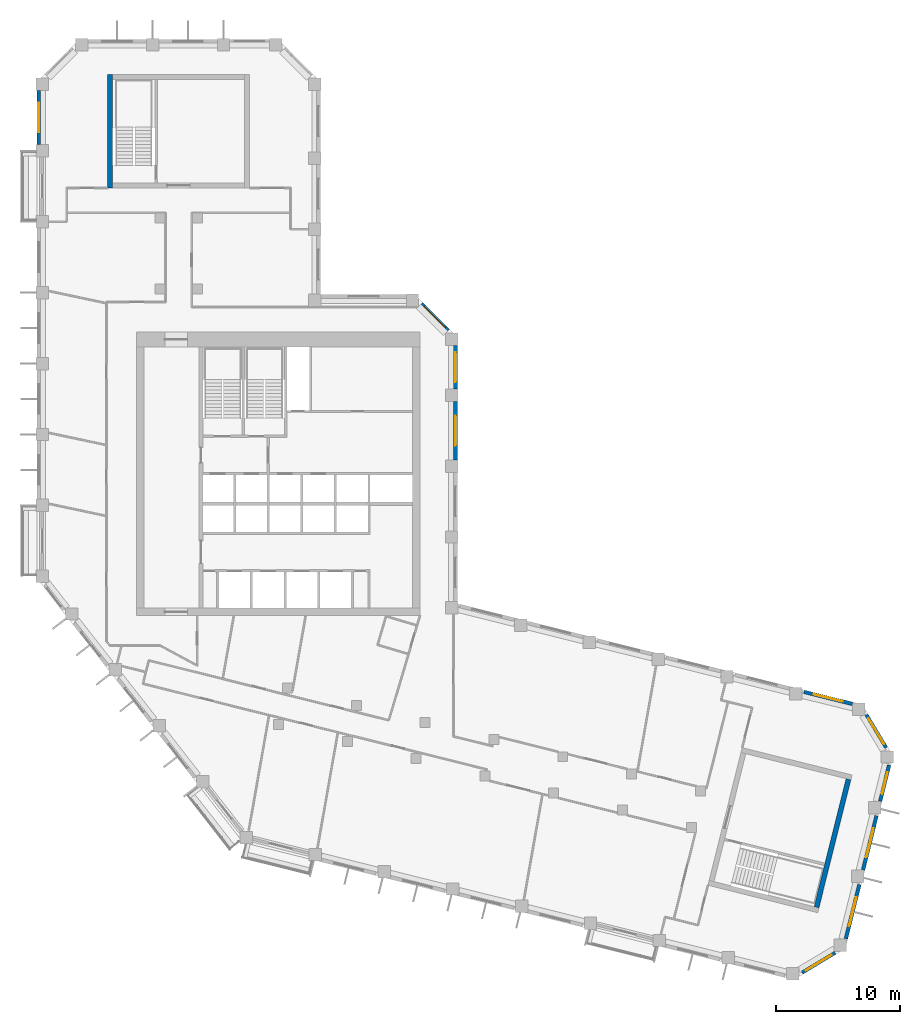
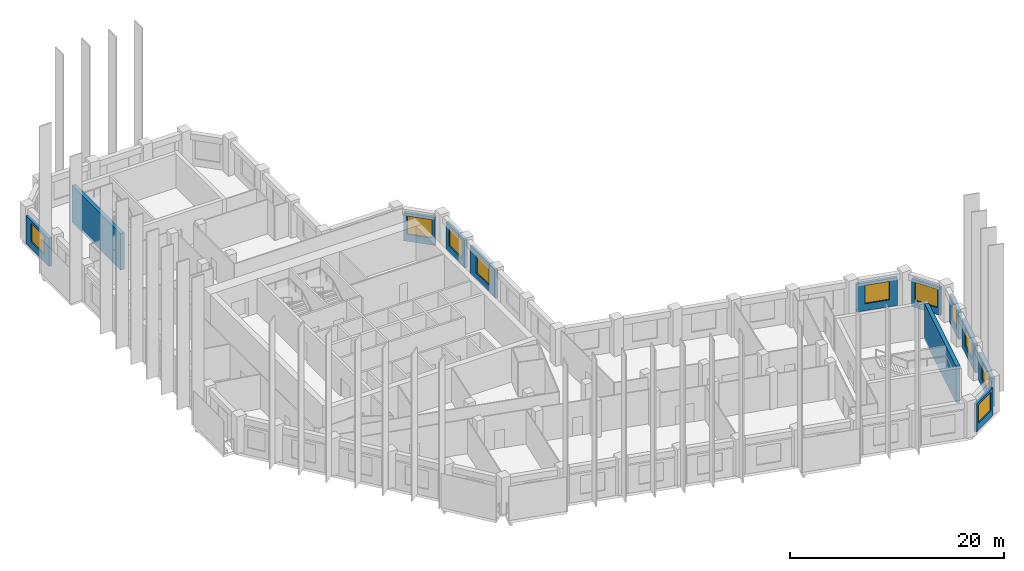
# One storey, part 7 of 9: 12 walls, 10 windows, 10 openings.
"""IFC4 building model written with IfcOpenShell, lengths in metres."""

from ifc_helpers import new_model, si_unit, direction, frame, frame_2d, origin, place, context, subcontext, project, spatial, rectangle, extrude, material, layer, layer_set, type_object, element, fill, save


model = new_model("IFC4")

# Units and contexts
model_context = context("Model", 3, precision=1e-05, world=origin(), true_north=direction((0.0, 1.0)))
body_context = subcontext(model_context, "Body", "Model", "MODEL_VIEW")
ifc_project = project(units=[si_unit("LENGTHUNIT", "METRE"), si_unit("AREAUNIT", "SQUARE_METRE"), si_unit("VOLUMEUNIT", "CUBIC_METRE"), si_unit("PLANEANGLEUNIT", "RADIAN"), si_unit("MASSUNIT", "GRAM", prefix="KILO")], contexts=[model_context])

# Site, building, storey
site_placement = place(None, origin())
site = spatial("IfcSite", under=ifc_project, at=site_placement, CompositionType="ELEMENT")
building_placement = place(site_placement, origin())
building = spatial("IfcBuilding", under=site, at=building_placement, Name="Meshkara Civic Tower", CompositionType="ELEMENT")
storey_placement = place(building_placement, frame((0.0, 0.0, 289.800048828125)))
storey = spatial("IfcBuildingStorey", under=building, at=storey_placement, Name="L66", CompositionType="ELEMENT", Elevation=289.800048828125)

# Wall, opening, window
ifc_material_1 = material(Name="Insulated infill panel with bronze anodised aluminium cladding", Category="aluminium")
ifc_layer_1 = layer(ifc_material_1, 0.300048828125)
ifc_layer_set_1 = layer_set([ifc_layer_1], Name="EXTERNAL INFILL WALL 300")
wall_type_1 = type_object("IfcWallType", Name="EXTERNAL INFILL WALL 300", PredefinedType="SOLIDWALL", material=ifc_layer_set_1)
wall_1_placement = place(storey_placement, frame((65.548095703125, 7.0, 0.0), z_axis=(0.0, 0.0, 1.0), x_axis=(-0.970260773365, 0.242062040951, 0.0)))
wall_1 = element("IfcWall", 1, at=wall_1_placement, inside=storey, type_object=wall_type_1, Name="External wall", PredefinedType="SOLIDWALL", context=body_context, shape_type="SweptSolid", body=[
    extrude(rectangle(XDim=4.003173828125, YDim=0.300048828125, at=frame_2d((2.00146484375, 0.0))), origin(), (0.0, 0.0, 1.0), 3.199951171875),
])
opening_1_placement = place(wall_1_placement, frame((0.801025390625, 0.0, 0.800048828125)))
opening_1 = element("IfcOpeningElement", 2, at=opening_1_placement, cuts=wall_1, Name="Opening W7", PredefinedType="OPENING", context=body_context, shape_type="SweptSolid", body=[
    extrude(rectangle(XDim=2.39990234375, YDim=2.10009765625, at=frame_2d((1.199951171875, 1.050048828125))), frame((0.0, 0.159912109375, 0.0), z_axis=(0.0, -1.0, 0.0), x_axis=(1.0, 0.0, 0.0)), (0.0, 0.0, 1.0), 0.320068359375),
])
ifc_material_2 = material(Name="Tinted double glazing", Category="glass")
window_type_1 = type_object("IfcWindowType", Name="WINDOW 2400x2100", PartitioningType="DOUBLE_PANEL_VERTICAL", PredefinedType="WINDOW", material=ifc_material_2)
window_1_placement = place(opening_1_placement, origin())
window_1 = element("IfcWindow", 3, at=window_1_placement, inside=storey, type_object=window_type_1, Name="Window", OverallHeight=2.10009765625, OverallWidth=2.39990234375, PartitioningType="DOUBLE_PANEL_VERTICAL", PredefinedType="WINDOW", context=body_context, shape_type="SweptSolid", body=[
    extrude(rectangle(XDim=2.39990234375, YDim=2.10009765625, at=frame_2d((1.199951171875, 1.050048828125))), frame((0.0, 0.030029296875, 0.0), z_axis=(0.0, -1.0, 0.0), x_axis=(1.0, 0.0, 0.0)), (0.0, 0.0, 1.0), 0.06005859375),
])
fill(opening_1, window_1)

wall_2_placement = place(storey_placement, frame((33.64990234375, 26.618896484375, 0.0), z_axis=(0.0, 0.0, 1.0), x_axis=(0.0, 1.0, 0.0)))
wall_2 = element("IfcWall", 4, at=wall_2_placement, inside=storey, type_object=wall_type_1, Name="External wall", PredefinedType="SOLIDWALL", context=body_context, shape_type="SweptSolid", body=[
    extrude(rectangle(XDim=4.7001953125, YDim=0.300048828125, at=frame_2d((2.35009765625, 0.0))), origin(), (0.0, 0.0, 1.0), 3.199951171875),
])
opening_2_placement = place(wall_2_placement, frame((1.14990234375, 0.0, 0.800048828125)))
opening_2 = element("IfcOpeningElement", 5, at=opening_2_placement, cuts=wall_2, Name="Opening W7", PredefinedType="OPENING", context=body_context, shape_type="SweptSolid", body=[
    extrude(rectangle(XDim=2.39990234375, YDim=2.10009765625, at=frame_2d((1.199951171875, 1.050048828125))), frame((0.0, 0.159912109375, 0.0), z_axis=(0.0, -1.0, 0.0), x_axis=(1.0, 0.0, 0.0)), (0.0, 0.0, 1.0), 0.320068359375),
])
window_2_placement = place(opening_2_placement, origin())
window_2 = element("IfcWindow", 6, at=window_2_placement, inside=storey, type_object=window_type_1, Name="Window", OverallHeight=2.10009765625, OverallWidth=2.39990234375, PartitioningType="DOUBLE_PANEL_VERTICAL", PredefinedType="WINDOW", context=body_context, shape_type="SweptSolid", body=[
    extrude(rectangle(XDim=2.39990234375, YDim=2.10009765625, at=frame_2d((1.199951171875, 1.050048828125))), frame((0.0, 0.030029296875, 0.0), z_axis=(0.0, -1.0, 0.0), x_axis=(1.0, 0.0, 0.0)), (0.0, 0.0, 1.0), 0.06005859375),
])
fill(opening_2, window_2)

wall_3_placement = place(storey_placement, frame((33.64990234375, 32.319091796875, 0.0), z_axis=(0.0, 0.0, 1.0), x_axis=(0.0, 1.0, 0.0)))
wall_3 = element("IfcWall", 7, at=wall_3_placement, inside=storey, type_object=wall_type_1, Name="External wall", PredefinedType="SOLIDWALL", context=body_context, shape_type="SweptSolid", body=[
    extrude(rectangle(XDim=3.474853515625, YDim=0.300048828125, at=frame_2d((1.7373046875, 0.0))), origin(), (0.0, 0.0, 1.0), 3.199951171875),
])
opening_3_placement = place(wall_3_placement, frame((0.5380859375, 0.0, 0.800048828125)))
opening_3 = element("IfcOpeningElement", 8, at=opening_3_placement, cuts=wall_3, Name="Opening W7", PredefinedType="OPENING", context=body_context, shape_type="SweptSolid", body=[
    extrude(rectangle(XDim=2.39990234375, YDim=2.10009765625, at=frame_2d((1.199951171875, 1.050048828125))), frame((0.0, 0.159912109375, 0.0), z_axis=(0.0, -1.0, 0.0), x_axis=(1.0, 0.0, 0.0)), (0.0, 0.0, 1.0), 0.320068359375),
])
window_3_placement = place(opening_3_placement, origin())
window_3 = element("IfcWindow", 9, at=window_3_placement, inside=storey, type_object=window_type_1, Name="Window", OverallHeight=2.10009765625, OverallWidth=2.39990234375, PartitioningType="DOUBLE_PANEL_VERTICAL", PredefinedType="WINDOW", context=body_context, shape_type="SweptSolid", body=[
    extrude(rectangle(XDim=2.39990234375, YDim=2.10009765625, at=frame_2d((1.199951171875, 1.050048828125))), frame((0.0, 0.030029296875, 0.0), z_axis=(0.0, -1.0, 0.0), x_axis=(1.0, 0.0, 0.0)), (0.0, 0.0, 1.0), 0.06005859375),
])
fill(opening_3, window_3)

wall_4_placement = place(storey_placement, frame((33.06201171875, 37.006103515625, 0.0), z_axis=(0.0, 0.0, 1.0), x_axis=(-0.707106781187, 0.707106781187, 0.0)))
wall_4 = element("IfcWall", 10, at=wall_4_placement, inside=storey, type_object=wall_type_1, Name="External wall", PredefinedType="SOLIDWALL", context=body_context, shape_type="SweptSolid", body=[
    extrude(rectangle(XDim=3.049072265625, YDim=0.300048828125, at=frame_2d((1.5244140625, 0.0))), origin(), (0.0, 0.0, 1.0), 3.199951171875),
])
opening_4_placement = place(wall_4_placement, frame((0.324951171875, 0.0, 0.800048828125)))
opening_4 = element("IfcOpeningElement", 11, at=opening_4_placement, cuts=wall_4, Name="Opening W7", PredefinedType="OPENING", context=body_context, shape_type="SweptSolid", body=[
    extrude(rectangle(XDim=2.39990234375, YDim=2.10009765625, at=frame_2d((1.199951171875, 1.050048828125))), frame((0.0, 0.159912109375, 0.0), z_axis=(0.0, -1.0, 0.0), x_axis=(1.0, 0.0, 0.0)), (0.0, 0.0, 1.0), 0.320068359375),
])
window_4_placement = place(opening_4_placement, origin())
window_4 = element("IfcWindow", 12, at=window_4_placement, inside=storey, type_object=window_type_1, Name="Window", OverallHeight=2.10009765625, OverallWidth=2.39990234375, PartitioningType="DOUBLE_PANEL_VERTICAL", PredefinedType="WINDOW", context=body_context, shape_type="SweptSolid", body=[
    extrude(rectangle(XDim=2.39990234375, YDim=2.10009765625, at=frame_2d((1.199951171875, 1.050048828125))), frame((0.0, 0.030029296875, 0.0), z_axis=(0.0, -1.0, 0.0), x_axis=(1.0, 0.0, 0.0)), (0.0, 0.0, 1.0), 0.06005859375),
])
fill(opening_4, window_4)

wall_5_placement = place(storey_placement, frame((0.14990234375, 56.31396484375, 0.0), z_axis=(0.0, 0.0, 1.0), x_axis=(0.0, -1.0, 0.0)))
wall_5 = element("IfcWall", 13, at=wall_5_placement, inside=storey, type_object=wall_type_1, Name="External wall", PredefinedType="SOLIDWALL", context=body_context, shape_type="SweptSolid", body=[
    extrude(rectangle(XDim=4.35888671875, YDim=0.300048828125, at=frame_2d((2.179443359375, 0.0))), origin(), (0.0, 0.0, 1.0), 3.199951171875),
])
opening_5_placement = place(wall_5_placement, frame((0.97998046875, 0.0, 0.800048828125)))
opening_5 = element("IfcOpeningElement", 14, at=opening_5_placement, cuts=wall_5, Name="Opening W7", PredefinedType="OPENING", context=body_context, shape_type="SweptSolid", body=[
    extrude(rectangle(XDim=2.39990234375, YDim=2.10009765625, at=frame_2d((1.199951171875, 1.050048828125))), frame((0.0, 0.159912109375, 0.0), z_axis=(0.0, -1.0, 0.0), x_axis=(1.0, 0.0, 0.0)), (0.0, 0.0, 1.0), 0.320068359375),
])
window_5_placement = place(opening_5_placement, origin())
window_5 = element("IfcWindow", 15, at=window_5_placement, inside=storey, type_object=window_type_1, Name="Window", OverallHeight=2.10009765625, OverallWidth=2.39990234375, PartitioningType="DOUBLE_PANEL_VERTICAL", PredefinedType="WINDOW", context=body_context, shape_type="SweptSolid", body=[
    extrude(rectangle(XDim=2.39990234375, YDim=2.10009765625, at=frame_2d((1.199951171875, 1.050048828125))), frame((0.0, 0.030029296875, 0.0), z_axis=(0.0, -1.0, 0.0), x_axis=(1.0, 0.0, 0.0)), (0.0, 0.0, 1.0), 0.06005859375),
])
fill(opening_5, window_5)

wall_6_placement = place(storey_placement, frame((61.509033203125, -14.591064453125, 0.0), z_axis=(0.0, 0.0, 1.0), x_axis=(0.856969799001, 0.515366630275, 0.0)))
wall_6 = element("IfcWall", 16, at=wall_6_placement, inside=storey, type_object=wall_type_1, Name="External wall", PredefinedType="SOLIDWALL", context=body_context, shape_type="SweptSolid", body=[
    extrude(rectangle(XDim=3.091064453125, YDim=0.300048828125, at=frame_2d((1.54541015625, 0.0))), origin(), (0.0, 0.0, 1.0), 3.199951171875),
])
opening_6_placement = place(wall_6_placement, frame((0.344970703125, 0.0, 0.800048828125)))
opening_6 = element("IfcOpeningElement", 17, at=opening_6_placement, cuts=wall_6, Name="Opening W7", PredefinedType="OPENING", context=body_context, shape_type="SweptSolid", body=[
    extrude(rectangle(XDim=2.39990234375, YDim=2.10009765625, at=frame_2d((1.199951171875, 1.050048828125))), frame((0.0, 0.159912109375, 0.0), z_axis=(0.0, -1.0, 0.0), x_axis=(1.0, 0.0, 0.0)), (0.0, 0.0, 1.0), 0.320068359375),
])
window_6_placement = place(opening_6_placement, origin())
window_6 = element("IfcWindow", 18, at=window_6_placement, inside=storey, type_object=window_type_1, Name="Window", OverallHeight=2.10009765625, OverallWidth=2.39990234375, PartitioningType="DOUBLE_PANEL_VERTICAL", PredefinedType="WINDOW", context=body_context, shape_type="SweptSolid", body=[
    extrude(rectangle(XDim=2.39990234375, YDim=2.10009765625, at=frame_2d((1.199951171875, 1.050048828125))), frame((0.0, 0.030029296875, 0.0), z_axis=(0.0, -1.0, 0.0), x_axis=(1.0, 0.0, 0.0)), (0.0, 0.0, 1.0), 0.06005859375),
])
fill(opening_6, window_6)

wall_7_placement = place(storey_placement, frame((65.029052734375, -11.8720703125, 0.0), z_axis=(0.0, 0.0, 1.0), x_axis=(0.241946839653, 0.970289506684, 0.0)))
wall_7 = element("IfcWall", 19, at=wall_7_placement, inside=storey, type_object=wall_type_1, Name="External wall", PredefinedType="SOLIDWALL", context=body_context, shape_type="SweptSolid", body=[
    extrude(rectangle(XDim=4.48828125, YDim=0.300048828125, at=frame_2d((2.244140625, 0.0))), origin(), (0.0, 0.0, 1.0), 3.199951171875),
])
opening_7_placement = place(wall_7_placement, frame((1.0439453125, 0.0, 0.800048828125)))
opening_7 = element("IfcOpeningElement", 20, at=opening_7_placement, cuts=wall_7, Name="Opening W7", PredefinedType="OPENING", context=body_context, shape_type="SweptSolid", body=[
    extrude(rectangle(XDim=2.39990234375, YDim=2.10009765625, at=frame_2d((1.199951171875, 1.050048828125))), frame((0.0, 0.159912109375, 0.0), z_axis=(0.0, -1.0, 0.0), x_axis=(1.0, 0.0, 0.0)), (0.0, 0.0, 1.0), 0.320068359375),
])
window_7_placement = place(opening_7_placement, origin())
window_7 = element("IfcWindow", 21, at=window_7_placement, inside=storey, type_object=window_type_1, Name="Window", OverallHeight=2.10009765625, OverallWidth=2.39990234375, PartitioningType="DOUBLE_PANEL_VERTICAL", PredefinedType="WINDOW", context=body_context, shape_type="SweptSolid", body=[
    extrude(rectangle(XDim=2.39990234375, YDim=2.10009765625, at=frame_2d((1.199951171875, 1.050048828125))), frame((0.0, 0.030029296875, 0.0), z_axis=(0.0, -1.0, 0.0), x_axis=(1.0, 0.0, 0.0)), (0.0, 0.0, 1.0), 0.06005859375),
])
fill(opening_7, window_7)

wall_8_placement = place(storey_placement, frame((66.407958984375, -6.341064453125, 0.0), z_axis=(0.0, 0.0, 1.0), x_axis=(0.241997928406, 0.970276766004, 0.0)))
wall_8 = element("IfcWall", 22, at=wall_8_placement, inside=storey, type_object=wall_type_1, Name="External wall", PredefinedType="SOLIDWALL", context=body_context, shape_type="SweptSolid", body=[
    extrude(rectangle(XDim=4.4873046875, YDim=0.300048828125, at=frame_2d((2.24365234375, 0.0))), origin(), (0.0, 0.0, 1.0), 3.199951171875),
])
opening_8_placement = place(wall_8_placement, frame((1.0439453125, 0.0, 0.800048828125)))
opening_8 = element("IfcOpeningElement", 23, at=opening_8_placement, cuts=wall_8, Name="Opening W7", PredefinedType="OPENING", context=body_context, shape_type="SweptSolid", body=[
    extrude(rectangle(XDim=2.39990234375, YDim=2.10009765625, at=frame_2d((1.199951171875, 1.050048828125))), frame((0.0, 0.159912109375, 0.0), z_axis=(0.0, -1.0, 0.0), x_axis=(1.0, 0.0, 0.0)), (0.0, 0.0, 1.0), 0.320068359375),
])
window_8_placement = place(opening_8_placement, origin())
window_8 = element("IfcWindow", 24, at=window_8_placement, inside=storey, type_object=window_type_1, Name="Window", OverallHeight=2.10009765625, OverallWidth=2.39990234375, PartitioningType="DOUBLE_PANEL_VERTICAL", PredefinedType="WINDOW", context=body_context, shape_type="SweptSolid", body=[
    extrude(rectangle(XDim=2.39990234375, YDim=2.10009765625, at=frame_2d((1.199951171875, 1.050048828125))), frame((0.0, 0.030029296875, 0.0), z_axis=(0.0, -1.0, 0.0), x_axis=(1.0, 0.0, 0.0)), (0.0, 0.0, 1.0), 0.06005859375),
])
fill(opening_8, window_8)

wall_9_placement = place(storey_placement, frame((67.787109375, -0.81103515625, 0.0), z_axis=(0.0, 0.0, 1.0), x_axis=(0.242052773757, 0.970263085311, 0.0)))
wall_9 = element("IfcWall", 25, at=wall_9_placement, inside=storey, type_object=wall_type_1, Name="External wall", PredefinedType="SOLIDWALL", context=body_context, shape_type="SweptSolid", body=[
    extrude(rectangle(XDim=2.974365234375, YDim=0.300048828125, at=frame_2d((1.4873046875, 0.0))), origin(), (0.0, 0.0, 1.0), 3.199951171875),
])
opening_9_placement = place(wall_9_placement, frame((0.5869140625, 0.0, 0.800048828125)))
opening_9 = element("IfcOpeningElement", 26, at=opening_9_placement, cuts=wall_9, Name="Opening W9", PredefinedType="OPENING", context=body_context, shape_type="SweptSolid", body=[
    extrude(rectangle(XDim=1.800048828125, YDim=2.10009765625, at=frame_2d((0.89990234375, 1.050048828125))), frame((0.0, 0.159912109375, 0.0), z_axis=(0.0, -1.0, 0.0), x_axis=(1.0, 0.0, 0.0)), (0.0, 0.0, 1.0), 0.320068359375),
])
ifc_material_3 = material(Name="Tinted double glazing", Category="glass")
window_type_2 = type_object("IfcWindowType", Name="WINDOW 1800x2100", PartitioningType="DOUBLE_PANEL_VERTICAL", PredefinedType="WINDOW", material=ifc_material_3)
window_9_placement = place(opening_9_placement, origin())
window_9 = element("IfcWindow", 27, at=window_9_placement, inside=storey, type_object=window_type_2, Name="Window", OverallHeight=2.10009765625, OverallWidth=1.800048828125, PartitioningType="DOUBLE_PANEL_VERTICAL", PredefinedType="WINDOW", context=body_context, shape_type="SweptSolid", body=[
    extrude(rectangle(XDim=1.800048828125, YDim=2.10009765625, at=frame_2d((0.89990234375, 1.050048828125))), frame((0.0, 0.030029296875, 0.0), z_axis=(0.0, -1.0, 0.0), x_axis=(1.0, 0.0, 0.0)), (0.0, 0.0, 1.0), 0.06005859375),
])
fill(opening_9, window_9)

wall_10_placement = place(storey_placement, frame((68.26611328125, 3.47900390625, 0.0), z_axis=(0.0, 0.0, 1.0), x_axis=(-0.514995068029, 0.857193140375, 0.0)))
wall_10 = element("IfcWall", 28, at=wall_10_placement, inside=storey, type_object=wall_type_1, Name="External wall", PredefinedType="SOLIDWALL", context=body_context, shape_type="SweptSolid", body=[
    extrude(rectangle(XDim=3.09130859375, YDim=0.300048828125, at=frame_2d((1.545654296875, 0.0))), origin(), (0.0, 0.0, 1.0), 3.199951171875),
])
opening_10_placement = place(wall_10_placement, frame((0.345947265625, 0.0, 0.800048828125)))
opening_10 = element("IfcOpeningElement", 29, at=opening_10_placement, cuts=wall_10, Name="Opening W7", PredefinedType="OPENING", context=body_context, shape_type="SweptSolid", body=[
    extrude(rectangle(XDim=2.39990234375, YDim=2.10009765625, at=frame_2d((1.199951171875, 1.050048828125))), frame((0.0, 0.159912109375, 0.0), z_axis=(0.0, -1.0, 0.0), x_axis=(1.0, 0.0, 0.0)), (0.0, 0.0, 1.0), 0.320068359375),
])
window_10_placement = place(opening_10_placement, origin())
window_10 = element("IfcWindow", 30, at=window_10_placement, inside=storey, type_object=window_type_1, Name="Window", OverallHeight=2.10009765625, OverallWidth=2.39990234375, PartitioningType="DOUBLE_PANEL_VERTICAL", PredefinedType="WINDOW", context=body_context, shape_type="SweptSolid", body=[
    extrude(rectangle(XDim=2.39990234375, YDim=2.10009765625, at=frame_2d((1.199951171875, 1.050048828125))), frame((0.0, 0.030029296875, 0.0), z_axis=(0.0, -1.0, 0.0), x_axis=(1.0, 0.0, 0.0)), (0.0, 0.0, 1.0), 0.06005859375),
])
fill(opening_10, window_10)

# Walls
ifc_material_4 = material(Name="Concrete C60", Category="concrete")
ifc_layer_2 = layer(ifc_material_4, 0.39990234375)
ifc_layer_set_2 = layer_set([ifc_layer_2], Name="End core ring wall 400 C60")
wall_type_2 = type_object("IfcWallType", Name="End core ring wall 400 C60", PredefinedType="SHEAR", material=ifc_layer_set_2)
wall_11_placement = place(storey_placement, frame((5.89990234375, 48.469970703125, -0.300048828125), z_axis=(0.0, 0.0, 1.0), x_axis=(0.0, 1.0, 0.0)))
element("IfcWall", 31, at=wall_11_placement, inside=storey, type_object=wall_type_2, Name="L66-C026", PredefinedType="SHEAR", context=body_context, shape_type="SweptSolid", body=[
    extrude(rectangle(XDim=9.10009765625, YDim=0.39990234375, at=frame_2d((4.550048828125, 0.0))), origin(), (0.0, 0.0, 1.0), 4.199951171875),
])
wall_12_placement = place(storey_placement, frame((62.672119140625, -9.339111328125, -0.300048828125), z_axis=(0.0, 0.0, 1.0), x_axis=(0.241971982666, 0.970283236795, 0.0)))
element("IfcWall", 32, at=wall_12_placement, inside=storey, type_object=wall_type_2, Name="L66-C034", PredefinedType="SHEAR", context=body_context, shape_type="SweptSolid", body=[
    extrude(rectangle(XDim=10.60009765625, YDim=0.39990234375, at=frame_2d((5.300048828125, 0.0))), origin(), (0.0, 0.0, 1.0), 4.199951171875),
])

save(model, "model.ifc")
